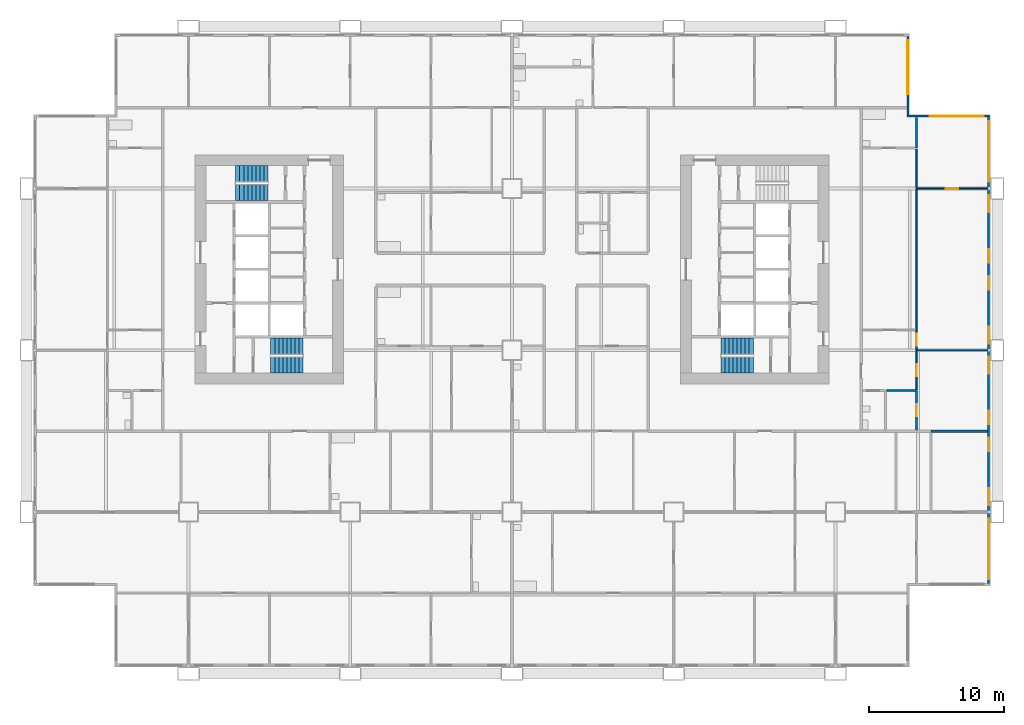
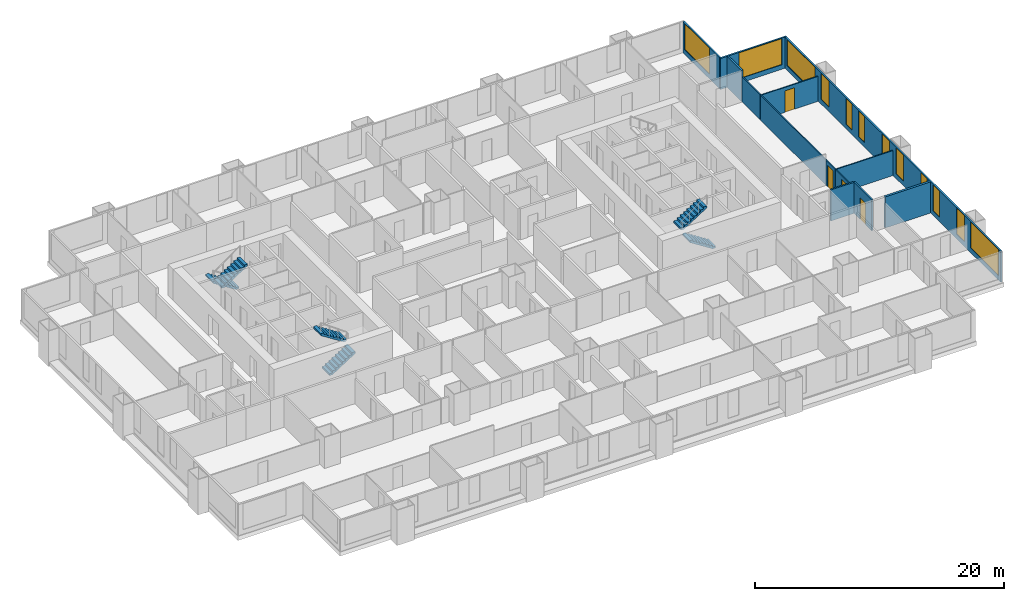
# One storey, part 11 of 14: 13 walls, 12 windows, 6 stair flights, 4 doors, 16 openings, 3 elements without a shape of their own.
"""IFC4 building model written with IfcOpenShell, lengths in metres."""

import ifcopenshell
import ifcopenshell.guid

model = None  # the IFC model being written
_history = None  # IfcOwnerHistory: only IFC2X3 demands one
_inside = {}  # id of a spatial element -> (the spatial element, [elements in it])
_under = {}  # id of a project, library or spatial element -> (it, [spatial elements below it])
_declared = {}  # id of a project -> (the project, [libraries it declares])
_typed = {}  # id of a type object -> (the type object, [elements of that type])
_made_of = {}  # id of a material, layer set ... -> (it, [elements and type objects made of it])


def new_model(schema):
    """Start an empty IFC model of exactly this schema.

    Asked for "IFC4X3", IfcOpenShell would pick the latest addendum, in which some entities
    have other attributes; the version numbers below select the first issue.
    IFC2X3 requires an IfcOwnerHistory on every rooted entity: one is made here for all.
    """
    global model, _history
    if schema == "IFC4X3":
        model = ifcopenshell.file(schema_version=(4, 3, 0, 0))
    else:
        model = ifcopenshell.file(schema=schema)
    _inside.clear()
    _under.clear()
    _declared.clear()
    _typed.clear()
    _made_of.clear()
    _history = None
    if model.schema == "IFC2X3":
        org = make("IfcOrganization", Name="unknown")
        user = make(
            "IfcPersonAndOrganization",
            ThePerson=make("IfcPerson", FamilyName="unknown"),
            TheOrganization=org,
        )
        app = make(
            "IfcApplication",
            ApplicationDeveloper=org,
            Version="unknown",
            ApplicationFullName="unknown",
            ApplicationIdentifier="unknown",
        )
        _history = make(
            "IfcOwnerHistory",
            OwningUser=user,
            OwningApplication=app,
            ChangeAction="ADDED",
            CreationDate=0,
        )
    return model


def make(cls, **values):
    """One entity of the class cls with the attributes given. An attribute that is None is left unset."""
    return model.create_entity(
        cls, **{name: value for name, value in values.items() if value is not None}
    )


def rooted(cls, **values):
    """An entity with a GlobalId (a new one), such as an element, a storey or a relation."""
    return make(cls, GlobalId=ifcopenshell.guid.new(), OwnerHistory=_history, **values)


def si_unit(unit_type, name, prefix=None):
    """IfcSIUnit, for example si_unit("LENGTHUNIT", "METRE", prefix="MILLI")."""
    return make("IfcSIUnit", UnitType=unit_type, Prefix=prefix, Name=name)


def assignment(units):
    """IfcUnitAssignment: the units of a project."""
    return None if units is None else make("IfcUnitAssignment", Units=units)


def point(xyz):
    """IfcCartesianPoint."""
    return None if xyz is None else make("IfcCartesianPoint", Coordinates=xyz)


def direction(xyz):
    """IfcDirection."""
    return None if xyz is None else make("IfcDirection", DirectionRatios=xyz)


def frame(location, z_axis=None, x_axis=None):
    """IfcAxis2Placement3D, a coordinate frame: its origin and axes. An axis left out is left unset."""
    return make(
        "IfcAxis2Placement3D",
        Location=point(location),
        Axis=direction(z_axis),
        RefDirection=direction(x_axis),
    )


def frame_2d(location, x_axis=None):
    """IfcAxis2Placement2D, a coordinate frame in the plane: its origin and x axis."""
    return make(
        "IfcAxis2Placement2D", Location=point(location), RefDirection=direction(x_axis)
    )


def origin():
    """The frame at (0, 0, 0) with its axes left unset."""
    return frame((0.0, 0.0, 0.0))


def place(relative_to, where):
    """IfcLocalPlacement: puts the frame where relative to a parent placement (None: the world)."""
    return make(
        "IfcLocalPlacement", PlacementRelTo=relative_to, RelativePlacement=where
    )


def context(
    kind, dimensions, precision=None, world=None, true_north=None, identifier=None
):
    """IfcGeometricRepresentationContext, for example the 3D "Model" context."""
    return make(
        "IfcGeometricRepresentationContext",
        ContextIdentifier=identifier,
        ContextType=kind,
        CoordinateSpaceDimension=dimensions,
        Precision=precision,
        WorldCoordinateSystem=world,
        TrueNorth=true_north,
    )


def subcontext(parent, identifier, kind, view, scale=None):
    """IfcGeometricRepresentationSubContext, for example "Body" below "Model"."""
    return make(
        "IfcGeometricRepresentationSubContext",
        ContextIdentifier=identifier,
        ContextType=kind,
        ParentContext=parent,
        TargetScale=scale,
        TargetView=view,
    )


def project(units=None, contexts=None):
    """IfcProject with its units and contexts."""
    return rooted(
        "IfcProject",
        Name="project",
        RepresentationContexts=contexts,
        UnitsInContext=assignment(units),
    )


def spatial(cls, under=None, at=None, **own):
    """A site, building, storey or space (cls), placed at a placement, below another one or the project."""
    s = rooted(cls, ObjectPlacement=at, **own)
    if under is not None:
        _under.setdefault(under.id(), (under, []))[1].append(s)
    return s


def polyline(points):
    """IfcPolyline through the points."""
    return make("IfcPolyline", Points=[point(p) for p in points])


def profile(cls, at=None, kind="AREA", **sizes):
    """A parametric profile (cls). Its sizes go by their IFC names, for example OverallWidth=200.0."""
    return make(cls, ProfileType=kind, Position=at, **sizes)


def rectangle(**sizes):
    """IfcRectangleProfileDef."""
    return profile("IfcRectangleProfileDef", **sizes)


def outline(outer, holes=None, kind="AREA"):
    """IfcArbitraryClosedProfileDef: a profile drawn as a closed curve; with holes, ...WithVoids."""
    if holes is None:
        return make("IfcArbitraryClosedProfileDef", ProfileType=kind, OuterCurve=outer)
    return make(
        "IfcArbitraryProfileDefWithVoids",
        ProfileType=kind,
        OuterCurve=outer,
        InnerCurves=holes,
    )


def extrude(swept, where, along, depth):
    """IfcExtrudedAreaSolid: the profile swept, set in the frame where, extruded along a direction by depth."""
    return make(
        "IfcExtrudedAreaSolid",
        SweptArea=swept,
        Position=where,
        ExtrudedDirection=direction(along),
        Depth=depth,
    )


def shape(context_of_items, identifier, shape_type, items):
    """IfcShapeRepresentation: the items that make up one representation, for example the "Body"."""
    return make(
        "IfcShapeRepresentation",
        ContextOfItems=context_of_items,
        RepresentationIdentifier=identifier,
        RepresentationType=shape_type,
        Items=items,
    )


def material(Name=None, Category=None):
    """IfcMaterial."""
    return make("IfcMaterial", Name=Name, Category=Category)


def layer(
    of_material, thickness, ventilated=None, Name=None, Category=None, Priority=None
):
    """IfcMaterialLayer: one layer of a wall or slab, of a material (None: an air gap)."""
    return make(
        "IfcMaterialLayer",
        Material=of_material,
        LayerThickness=thickness,
        IsVentilated=ventilated,
        Name=Name,
        Category=Category,
        Priority=Priority,
    )


def layer_set(layers, Name=None):
    """IfcMaterialLayerSet."""
    return make("IfcMaterialLayerSet", MaterialLayers=layers, LayerSetName=Name)


def made_of(thing, what):
    """Note that an element or type object is made of a material, layer set ...; save() writes the relation."""
    if what is not None:
        _made_of.setdefault(what.id(), (what, []))[1].append(thing)
    return thing


def type_object(cls, material=None, **own):
    """A type object (cls), such as IfcWallType, which elements share."""
    return made_of(rooted(cls, **own), material)


def element(
    cls,
    number,
    at=None,
    inside=None,
    cuts=None,
    type_object=None,
    material=None,
    context=None,
    identifier="Body",
    shape_type=None,
    held_by="IfcProductDefinitionShape",
    body=None,
    shapes=None,
    **own,
):
    """One element of the class cls, such as IfcWall. Its Tag is "e" and its number.

    at: its placement. inside: the storey or other place that contains it. cuts: it is an
    opening in that element (IfcRelVoidsElement). A single representation is given by context,
    identifier, shape_type and body (its items); several are given by shapes. held_by: the class
    of the entity that holds the representations. save() writes the other relations.
    """
    e = rooted(cls, Tag="e%d" % number, ObjectPlacement=at, **own)
    if body is not None:
        shapes = [shape(context, identifier, shape_type, body)]
    if shapes is not None:
        e.Representation = make(held_by, Representations=shapes)
    if inside is not None:
        _inside.setdefault(inside.id(), (inside, []))[1].append(e)
    if cuts is not None:
        rooted(
            "IfcRelVoidsElement", RelatingBuildingElement=cuts, RelatedOpeningElement=e
        )
    if type_object is not None:
        _typed.setdefault(type_object.id(), (type_object, []))[1].append(e)
    return made_of(e, material)


def fill(opening, filler):
    """IfcRelFillsElement: the door or window that sits in an opening."""
    return rooted(
        "IfcRelFillsElement",
        RelatingOpeningElement=opening,
        RelatedBuildingElement=filler,
    )


def aggregate(whole, parts):
    """IfcRelAggregates: a whole, such as a stair, and the parts it consists of."""
    return rooted("IfcRelAggregates", RelatingObject=whole, RelatedObjects=parts)


def save(model, path):
    """Write the relations noted so far, then the file.

    IfcRelAggregates (storeys below a building ...), IfcRelContainedInSpatialStructure (elements
    in a storey), IfcRelDefinesByType, IfcRelAssociatesMaterial and IfcRelDeclares: one each for
    every whole, place, type object, material and project.
    """
    for whole, parts in _under.values():
        aggregate(whole, parts)
    for where, things in _inside.values():
        rooted(
            "IfcRelContainedInSpatialStructure",
            RelatedElements=things,
            RelatingStructure=where,
        )
    for kind, things in _typed.values():
        rooted("IfcRelDefinesByType", RelatedObjects=things, RelatingType=kind)
    for what, things in _made_of.values():
        rooted("IfcRelAssociatesMaterial", RelatedObjects=things, RelatingMaterial=what)
    for by, libraries in _declared.values():
        rooted("IfcRelDeclares", RelatingContext=by, RelatedDefinitions=libraries)
    model.write(path)


model = new_model("IFC4")

# Units and contexts
model_context = context("Model", 3, precision=1e-05, world=origin(), true_north=direction((0.0, 1.0)))
body_context = subcontext(model_context, "Body", "Model", "MODEL_VIEW")
ifc_project = project(units=[si_unit("LENGTHUNIT", "METRE"), si_unit("AREAUNIT", "SQUARE_METRE"), si_unit("VOLUMEUNIT", "CUBIC_METRE"), si_unit("PLANEANGLEUNIT", "RADIAN"), si_unit("MASSUNIT", "GRAM", prefix="KILO")], contexts=[model_context])

# Site, building, storey
site_placement = place(None, origin())
site = spatial("IfcSite", under=ifc_project, at=site_placement, CompositionType="ELEMENT")
building_placement = place(site_placement, origin())
building = spatial("IfcBuilding", under=site, at=building_placement, Name="Kitamizu Gate Tower and Museum", CompositionType="ELEMENT")
storey_placement = place(building_placement, frame((0.0, 0.0, 74.85009765625)))
storey = spatial("IfcBuildingStorey", under=building, at=storey_placement, Name="L18", CompositionType="ELEMENT", Elevation=74.85009765625)

# Wall
ifc_material_1 = material(Name="Gypsum board on galvanised stud")
ifc_layer_1 = layer(ifc_material_1, 0.10009765625)
ifc_layer_set_1 = layer_set([ifc_layer_1], Name="Gypsum board on galvanised stud")
wall_type_1 = type_object("IfcWallType", Name="Partition 100 NOT RATED", PredefinedType="PARTITIONING", material=ifc_layer_set_1)
wall_1_placement = place(storey_placement, frame((71.280029296875, 24.0, 0.0), z_axis=(0.0, 0.0, 1.0), x_axis=(-1.0, 0.0, 0.0)))
element("IfcWall", 1, at=wall_1_placement, inside=storey, type_object=wall_type_1, Name="Partition L18-120", PredefinedType="PARTITIONING", context=body_context, shape_type="SweptSolid", body=[
    extrude(rectangle(XDim=5.280029296875, YDim=0.10009765625, at=frame_2d((2.64013671875, 0.0))), origin(), (0.0, 0.0, 1.0), 2.449951171875),
])

# Wall, opening, door
wall_2_placement = place(storey_placement, frame((66.0, 23.949951171875, 0.0), z_axis=(0.0, 0.0, 1.0), x_axis=(0.0, -1.0, 0.0)))
wall_2 = element("IfcWall", 2, at=wall_2_placement, inside=storey, type_object=wall_type_1, Name="Partition L18-122", PredefinedType="PARTITIONING", context=body_context, shape_type="SweptSolid", body=[
    extrude(rectangle(XDim=2.875, YDim=0.10009765625, at=frame_2d((1.4375, 0.0))), origin(), (0.0, 0.0, 1.0), 2.449951171875),
])
opening_1_placement = place(wall_2_placement, frame((0.987548828125, 0.0, 0.0)))
opening_1 = element("IfcOpeningElement", 3, at=opening_1_placement, cuts=wall_2, Name="Opening L18-044", PredefinedType="OPENING", context=body_context, shape_type="SweptSolid", body=[
    extrude(rectangle(XDim=0.89990234375, YDim=2.10009765625, at=frame_2d((0.449951171875, 1.050048828125))), frame((0.0, 0.06005859375, 0.0), z_axis=(0.0, -1.0, 0.0), x_axis=(1.0, 0.0, 0.0)), (0.0, 0.0, 1.0), 0.1201171875),
])
ifc_material_2 = material(Name="Timber door set", Category="wood")
door_type_1 = type_object("IfcDoorType", Name="Room door 900", OperationType="NOTDEFINED", PredefinedType="DOOR", material=ifc_material_2)
door_1_placement = place(opening_1_placement, origin())
door_1 = element("IfcDoor", 4, at=door_1_placement, inside=storey, type_object=door_type_1, Name="Door L18-044", OperationType="SINGLE_SWING_RIGHT", OverallHeight=2.10009765625, OverallWidth=0.89990234375, PredefinedType="DOOR", context=body_context, shape_type="SweptSolid", body=[
    extrude(rectangle(XDim=0.89990234375, YDim=2.10009765625, at=frame_2d((0.449951171875, 1.050048828125))), frame((0.0, 0.02490234375, 0.0), z_axis=(0.0, -1.0, 0.0), x_axis=(1.0, 0.0, 0.0)), (0.0, 0.0, 1.0), 0.050048828125),
])
fill(opening_1, door_1)

wall_3_placement = place(storey_placement, frame((71.280029296875, 36.0, 0.0), z_axis=(0.0, 0.0, 1.0), x_axis=(-1.0, 0.0, 0.0)))
wall_3 = element("IfcWall", 5, at=wall_3_placement, inside=storey, type_object=wall_type_1, Name="Partition L18-123", PredefinedType="PARTITIONING", context=body_context, shape_type="SweptSolid", body=[
    extrude(rectangle(XDim=5.280029296875, YDim=0.10009765625, at=frame_2d((2.64013671875, 0.0))), origin(), (0.0, 0.0, 1.0), 2.449951171875),
])
opening_2_placement = place(wall_3_placement, frame((2.18994140625, 0.0, 0.0)))
opening_2 = element("IfcOpeningElement", 6, at=opening_2_placement, cuts=wall_3, Name="Opening L18-047", PredefinedType="OPENING", context=body_context, shape_type="SweptSolid", body=[
    extrude(rectangle(XDim=0.89990234375, YDim=2.10009765625, at=frame_2d((0.449951171875, 1.050048828125))), frame((0.0, 0.06005859375, 0.0), z_axis=(0.0, -1.0, 0.0), x_axis=(1.0, 0.0, 0.0)), (0.0, 0.0, 1.0), 0.1201171875),
])
door_2_placement = place(opening_2_placement, frame((0.89990234375, 0.0, 0.0), x_axis=(-1.0, 0.0, 0.0)))
door_2 = element("IfcDoor", 7, at=door_2_placement, inside=storey, type_object=door_type_1, Name="Door L18-047", OperationType="SINGLE_SWING_RIGHT", OverallHeight=2.10009765625, OverallWidth=0.89990234375, PredefinedType="DOOR", context=body_context, shape_type="SweptSolid", body=[
    extrude(rectangle(XDim=0.89990234375, YDim=2.10009765625, at=frame_2d((0.449951171875, 1.050048828125))), frame((0.0, 0.02490234375, 0.0), z_axis=(0.0, -1.0, 0.0), x_axis=(1.0, 0.0, 0.0)), (0.0, 0.0, 1.0), 0.050048828125),
])
fill(opening_2, door_2)

wall_4_placement = place(storey_placement, frame((66.0, 25.5, 0.0), z_axis=(0.0, 0.0, 1.0), x_axis=(0.0, -1.0, 0.0)))
wall_4 = element("IfcWall", 8, at=wall_4_placement, inside=storey, type_object=wall_type_1, Name="Partition L18-124", PredefinedType="PARTITIONING", context=body_context, shape_type="SweptSolid", body=[
    extrude(rectangle(XDim=1.449951171875, YDim=0.10009765625, at=frame_2d((0.72509765625, 0.0))), origin(), (0.0, 0.0, 1.0), 2.449951171875),
])
opening_3_placement = place(wall_4_placement, frame((0.27490234375, 0.0, 0.0)))
opening_3 = element("IfcOpeningElement", 9, at=opening_3_placement, cuts=wall_4, Name="Opening L18-045", PredefinedType="OPENING", context=body_context, shape_type="SweptSolid", body=[
    extrude(rectangle(XDim=0.89990234375, YDim=2.10009765625, at=frame_2d((0.449951171875, 1.050048828125))), frame((0.0, 0.06005859375, 0.0), z_axis=(0.0, -1.0, 0.0), x_axis=(1.0, 0.0, 0.0)), (0.0, 0.0, 1.0), 0.1201171875),
])
door_3_placement = place(opening_3_placement, origin())
door_3 = element("IfcDoor", 10, at=door_3_placement, inside=storey, type_object=door_type_1, Name="Door L18-045", OperationType="SINGLE_SWING_LEFT", OverallHeight=2.10009765625, OverallWidth=0.89990234375, PredefinedType="DOOR", context=body_context, shape_type="SweptSolid", body=[
    extrude(rectangle(XDim=0.89990234375, YDim=2.10009765625, at=frame_2d((0.449951171875, 1.050048828125))), frame((0.0, 0.02490234375, 0.0), z_axis=(0.0, -1.0, 0.0), x_axis=(1.0, 0.0, 0.0)), (0.0, 0.0, 1.0), 0.050048828125),
])
fill(opening_3, door_3)

# Walls
wall_5_placement = place(storey_placement, frame((66.0, 35.949951171875, 0.0), z_axis=(0.0, 0.0, 1.0), x_axis=(0.0, -1.0, 0.0)))
element("IfcWall", 11, at=wall_5_placement, inside=storey, type_object=wall_type_1, Name="Partition L18-125", PredefinedType="PARTITIONING", context=body_context, shape_type="SweptSolid", body=[
    extrude(rectangle(XDim=10.449951171875, YDim=0.10009765625, at=frame_2d((5.22509765625, 0.0))), origin(), (0.0, 0.0, 1.0), 2.449951171875),
])
wall_6_placement = place(storey_placement, frame((66.0, 38.925048828125, 0.0), z_axis=(0.0, 0.0, 1.0), x_axis=(0.0, -1.0, 0.0)))
element("IfcWall", 12, at=wall_6_placement, inside=storey, type_object=wall_type_1, Name="Partition L18-126", PredefinedType="PARTITIONING", context=body_context, shape_type="SweptSolid", body=[
    extrude(rectangle(XDim=2.875, YDim=0.10009765625, at=frame_2d((1.4375, 0.0))), origin(), (0.0, 0.0, 1.0), 2.449951171875),
])

# Wall, opening, door
ifc_material_3 = material(Name="Gypsum board on galvanised stud")
ifc_layer_2 = layer(ifc_material_3, 0.14990234375)
ifc_layer_set_2 = layer_set([ifc_layer_2], Name="Gypsum board on galvanised stud")
wall_type_2 = type_object("IfcWallType", Name="Partition 150", PredefinedType="PARTITIONING", material=ifc_layer_set_2)
wall_7_placement = place(storey_placement, frame((66.0, 21.0, 0.0), z_axis=(0.0, 0.0, 1.0), x_axis=(0.0, -1.0, 0.0)))
wall_7 = element("IfcWall", 13, at=wall_7_placement, inside=storey, type_object=wall_type_2, Name="Partition L18-121", PredefinedType="PARTITIONING", context=body_context, shape_type="SweptSolid", body=[
    extrude(rectangle(XDim=2.89990234375, YDim=0.14990234375, at=frame_2d((1.449951171875, 0.0))), origin(), (0.0, 0.0, 1.0), 3.0498046875),
])
opening_4_placement = place(wall_7_placement, frame((1.0, 0.0, 0.0)))
opening_4 = element("IfcOpeningElement", 14, at=opening_4_placement, cuts=wall_7, Name="Opening L18-049", PredefinedType="OPENING", context=body_context, shape_type="SweptSolid", body=[
    extrude(rectangle(XDim=0.89990234375, YDim=2.10009765625, at=frame_2d((0.449951171875, 1.050048828125))), frame((0.0, 0.0849609375, 0.0), z_axis=(0.0, -1.0, 0.0), x_axis=(1.0, 0.0, 0.0)), (0.0, 0.0, 1.0), 0.169921875),
])
ifc_material_4 = material(Name="Timber door set", Category="wood")
door_type_2 = type_object("IfcDoorType", Name="Bathroom door 900", OperationType="NOTDEFINED", PredefinedType="DOOR", material=ifc_material_4)
door_4_placement = place(opening_4_placement, frame((0.89990234375, 0.0, 0.0), x_axis=(-1.0, 0.0, 0.0)))
door_4 = element("IfcDoor", 15, at=door_4_placement, inside=storey, type_object=door_type_2, Name="Bathroom door L18-049", OperationType="SINGLE_SWING_RIGHT", OverallHeight=2.10009765625, OverallWidth=0.89990234375, PredefinedType="DOOR", context=body_context, shape_type="SweptSolid", body=[
    extrude(rectangle(XDim=0.89990234375, YDim=2.10009765625, at=frame_2d((0.449951171875, 1.050048828125))), frame((0.0, 0.02490234375, 0.0), z_axis=(0.0, -1.0, 0.0), x_axis=(1.0, 0.0, 0.0)), (0.0, 0.0, 1.0), 0.050048828125),
])
fill(opening_4, door_4)

# Walls
wall_8_placement = place(storey_placement, frame((66.0, 41.280029296875, 0.0), z_axis=(0.0, 0.0, 1.0), x_axis=(0.0, -1.0, 0.0)))
element("IfcWall", 16, at=wall_8_placement, inside=storey, type_object=wall_type_2, Name="Partition L18-127", PredefinedType="PARTITIONING", context=body_context, shape_type="SweptSolid", body=[
    extrude(rectangle(XDim=2.280029296875, YDim=0.14990234375, at=frame_2d((1.14013671875, 0.0))), origin(), (0.0, 0.0, 1.0), 3.0498046875),
])
wall_9_placement = place(storey_placement, frame((65.925048828125, 21.0, 0.0), z_axis=(0.0, 0.0, 1.0), x_axis=(-1.0, 0.0, 0.0)))
element("IfcWall", 17, at=wall_9_placement, inside=storey, type_object=wall_type_2, Name="Partition L18-131", PredefinedType="PARTITIONING", context=body_context, shape_type="SweptSolid", body=[
    extrude(rectangle(XDim=2.150146484375, YDim=0.14990234375, at=frame_2d((1.0751953125, 0.0))), origin(), (0.0, 0.0, 1.0), 3.0498046875),
])
ifc_material_5 = material(Name="Gypsum board on galvanised stud")
ifc_layer_3 = layer(ifc_material_5, 0.199951171875)
ifc_layer_set_3 = layer_set([ifc_layer_3], Name="Gypsum board on galvanised stud")
wall_type_3 = type_object("IfcWallType", Name="Partition 200", PredefinedType="PARTITIONING", material=ifc_layer_set_3)
wall_10_placement = place(storey_placement, frame((71.280029296875, 18.0, 0.0), z_axis=(0.0, 0.0, 1.0), x_axis=(-1.0, 0.0, 0.0)))
element("IfcWall", 18, at=wall_10_placement, inside=storey, type_object=wall_type_3, Name="Partition L18-110", PredefinedType="PARTITIONING", context=body_context, shape_type="SweptSolid", body=[
    extrude(rectangle(XDim=4.2041015625, YDim=0.199951171875, at=frame_2d((2.10205078125, 0.0))), origin(), (0.0, 0.0, 1.0), 3.0498046875),
])

# Wall, openings, windows
ifc_material_6 = material(Name="Bronze anodised aluminium frame with insulated spandrel and tinted glass", Category="aluminium")
ifc_layer_4 = layer(ifc_material_6, 0.14990234375)
ifc_layer_set_4 = layer_set([ifc_layer_4], Name="Bronze anodised aluminium frame with insulated spandrel and tinted glass")
wall_type_4 = type_object("IfcWallType", Name="WINDOW WALL 150 BRONZE FRAME EI 30", PredefinedType="ELEMENTEDWALL", material=ifc_layer_set_4)
wall_11_placement = place(storey_placement, frame((71.364990234375, 6.7099609375, 0.0), z_axis=(0.0, 0.0, 1.0), x_axis=(0.0, 1.0, 0.0)))
wall_11 = element("IfcWall", 19, at=wall_11_placement, inside=storey, type_object=wall_type_4, Name="Window wall east L18", PredefinedType="ELEMENTEDWALL", context=body_context, shape_type="SweptSolid", body=[
    extrude(rectangle(XDim=34.580078125, YDim=0.14990234375, at=frame_2d((17.2900390625, 0.0))), origin(), (0.0, 0.0, 1.0), 3.0498046875),
])
opening_5_placement = place(wall_11_placement, frame((0.2900390625, 0.0, 0.449951171875)))
opening_5 = element("IfcOpeningElement", 20, at=opening_5_placement, cuts=wall_11, Name="Opening W15", PredefinedType="OPENING", context=body_context, shape_type="SweptSolid", body=[
    extrude(rectangle(XDim=4.5, YDim=2.550048828125, at=frame_2d((2.25, 1.27490234375))), frame((0.0, 0.0849609375, 0.0), z_axis=(0.0, -1.0, 0.0), x_axis=(1.0, 0.0, 0.0)), (0.0, 0.0, 1.0), 0.169921875),
])
opening_6_placement = place(wall_11_placement, frame((5.7900390625, 0.0, 0.449951171875)))
opening_6 = element("IfcOpeningElement", 21, at=opening_6_placement, cuts=wall_11, Name="Opening W27", PredefinedType="OPENING", context=body_context, shape_type="SweptSolid", body=[
    extrude(rectangle(XDim=1.25, YDim=2.550048828125, at=frame_2d((0.625, 1.27490234375))), frame((0.0, 0.0849609375, 0.0), z_axis=(0.0, -1.0, 0.0), x_axis=(1.0, 0.0, 0.0)), (0.0, 0.0, 1.0), 0.169921875),
])
opening_7_placement = place(wall_11_placement, frame((9.7900390625, 0.0, 0.449951171875)))
opening_7 = element("IfcOpeningElement", 22, at=opening_7_placement, cuts=wall_11, Name="Opening W26", PredefinedType="OPENING", context=body_context, shape_type="SweptSolid", body=[
    extrude(rectangle(XDim=1.0, YDim=2.550048828125, at=frame_2d((0.5, 1.27490234375))), frame((0.0, 0.0849609375, 0.0), z_axis=(0.0, -1.0, 0.0), x_axis=(1.0, 0.0, 0.0)), (0.0, 0.0, 1.0), 0.169921875),
])
opening_8_placement = place(wall_11_placement, frame((11.7900390625, 0.0, 0.449951171875)))
opening_8 = element("IfcOpeningElement", 23, at=opening_8_placement, cuts=wall_11, Name="Opening W26", PredefinedType="OPENING", context=body_context, shape_type="SweptSolid", body=[
    extrude(rectangle(XDim=1.0, YDim=2.550048828125, at=frame_2d((0.5, 1.27490234375))), frame((0.0, 0.0849609375, 0.0), z_axis=(0.0, -1.0, 0.0), x_axis=(1.0, 0.0, 0.0)), (0.0, 0.0, 1.0), 0.169921875),
])
opening_9_placement = place(wall_11_placement, frame((15.5400390625, 0.0, 0.449951171875)))
opening_9 = element("IfcOpeningElement", 24, at=opening_9_placement, cuts=wall_11, Name="Opening W27", PredefinedType="OPENING", context=body_context, shape_type="SweptSolid", body=[
    extrude(rectangle(XDim=1.25, YDim=2.550048828125, at=frame_2d((0.625, 1.27490234375))), frame((0.0, 0.0849609375, 0.0), z_axis=(0.0, -1.0, 0.0), x_axis=(1.0, 0.0, 0.0)), (0.0, 0.0, 1.0), 0.169921875),
])
opening_10_placement = place(wall_11_placement, frame((17.7900390625, 0.0, 0.449951171875)))
opening_10 = element("IfcOpeningElement", 25, at=opening_10_placement, cuts=wall_11, Name="Opening W27", PredefinedType="OPENING", context=body_context, shape_type="SweptSolid", body=[
    extrude(rectangle(XDim=1.25, YDim=2.550048828125, at=frame_2d((0.625, 1.27490234375))), frame((0.0, 0.0849609375, 0.0), z_axis=(0.0, -1.0, 0.0), x_axis=(1.0, 0.0, 0.0)), (0.0, 0.0, 1.0), 0.169921875),
])
opening_11_placement = place(wall_11_placement, frame((21.7900390625, 0.0, 0.449951171875)))
opening_11 = element("IfcOpeningElement", 26, at=opening_11_placement, cuts=wall_11, Name="Opening W26", PredefinedType="OPENING", context=body_context, shape_type="SweptSolid", body=[
    extrude(rectangle(XDim=1.0, YDim=2.550048828125, at=frame_2d((0.5, 1.27490234375))), frame((0.0, 0.0849609375, 0.0), z_axis=(0.0, -1.0, 0.0), x_axis=(1.0, 0.0, 0.0)), (0.0, 0.0, 1.0), 0.169921875),
])
opening_12_placement = place(wall_11_placement, frame((23.7900390625, 0.0, 0.449951171875)))
opening_12 = element("IfcOpeningElement", 27, at=opening_12_placement, cuts=wall_11, Name="Opening W26", PredefinedType="OPENING", context=body_context, shape_type="SweptSolid", body=[
    extrude(rectangle(XDim=1.0, YDim=2.550048828125, at=frame_2d((0.5, 1.27490234375))), frame((0.0, 0.0849609375, 0.0), z_axis=(0.0, -1.0, 0.0), x_axis=(1.0, 0.0, 0.0)), (0.0, 0.0, 1.0), 0.169921875),
])
opening_13_placement = place(wall_11_placement, frame((27.5400390625, 0.0, 0.449951171875)))
opening_13 = element("IfcOpeningElement", 28, at=opening_13_placement, cuts=wall_11, Name="Opening W27", PredefinedType="OPENING", context=body_context, shape_type="SweptSolid", body=[
    extrude(rectangle(XDim=1.25, YDim=2.550048828125, at=frame_2d((0.625, 1.27490234375))), frame((0.0, 0.0849609375, 0.0), z_axis=(0.0, -1.0, 0.0), x_axis=(1.0, 0.0, 0.0)), (0.0, 0.0, 1.0), 0.169921875),
])
opening_14_placement = place(wall_11_placement, frame((29.7900390625, 0.0, 0.449951171875)))
opening_14 = element("IfcOpeningElement", 29, at=opening_14_placement, cuts=wall_11, Name="Opening W15", PredefinedType="OPENING", context=body_context, shape_type="SweptSolid", body=[
    extrude(rectangle(XDim=4.5, YDim=2.550048828125, at=frame_2d((2.25, 1.27490234375))), frame((0.0, 0.0849609375, 0.0), z_axis=(0.0, -1.0, 0.0), x_axis=(1.0, 0.0, 0.0)), (0.0, 0.0, 1.0), 0.169921875),
])
ifc_material_7 = material(Name="Bronze anodised aluminium frame, tinted triple glazing", Category="aluminium")
window_type_1 = type_object("IfcWindowType", Name="WINDOW 1000 x 2550 SILL 450", PartitioningType="SINGLE_PANEL", PredefinedType="WINDOW", material=ifc_material_7)
window_1_placement = place(opening_7_placement, origin())
window_1 = element("IfcWindow", 30, at=window_1_placement, inside=storey, type_object=window_type_1, Name="Window W26 L18", OverallHeight=2.550048828125, OverallWidth=1.0, PartitioningType="SINGLE_PANEL", PredefinedType="WINDOW", context=body_context, shape_type="SweptSolid", body=[
    extrude(rectangle(XDim=1.0, YDim=2.550048828125, at=frame_2d((0.5, 1.27490234375))), frame((0.0, 0.030029296875, 0.0), z_axis=(0.0, -1.0, 0.0), x_axis=(1.0, 0.0, 0.0)), (0.0, 0.0, 1.0), 0.06005859375),
])
fill(opening_7, window_1)
window_2_placement = place(opening_8_placement, origin())
window_2 = element("IfcWindow", 31, at=window_2_placement, inside=storey, type_object=window_type_1, Name="Window W26 L18", OverallHeight=2.550048828125, OverallWidth=1.0, PartitioningType="SINGLE_PANEL", PredefinedType="WINDOW", context=body_context, shape_type="SweptSolid", body=[
    extrude(rectangle(XDim=1.0, YDim=2.550048828125, at=frame_2d((0.5, 1.27490234375))), frame((0.0, 0.030029296875, 0.0), z_axis=(0.0, -1.0, 0.0), x_axis=(1.0, 0.0, 0.0)), (0.0, 0.0, 1.0), 0.06005859375),
])
fill(opening_8, window_2)
window_3_placement = place(opening_11_placement, origin())
window_3 = element("IfcWindow", 32, at=window_3_placement, inside=storey, type_object=window_type_1, Name="Window W26 L18", OverallHeight=2.550048828125, OverallWidth=1.0, PartitioningType="SINGLE_PANEL", PredefinedType="WINDOW", context=body_context, shape_type="SweptSolid", body=[
    extrude(rectangle(XDim=1.0, YDim=2.550048828125, at=frame_2d((0.5, 1.27490234375))), frame((0.0, 0.030029296875, 0.0), z_axis=(0.0, -1.0, 0.0), x_axis=(1.0, 0.0, 0.0)), (0.0, 0.0, 1.0), 0.06005859375),
])
fill(opening_11, window_3)
window_4_placement = place(opening_12_placement, origin())
window_4 = element("IfcWindow", 33, at=window_4_placement, inside=storey, type_object=window_type_1, Name="Window W26 L18", OverallHeight=2.550048828125, OverallWidth=1.0, PartitioningType="SINGLE_PANEL", PredefinedType="WINDOW", context=body_context, shape_type="SweptSolid", body=[
    extrude(rectangle(XDim=1.0, YDim=2.550048828125, at=frame_2d((0.5, 1.27490234375))), frame((0.0, 0.030029296875, 0.0), z_axis=(0.0, -1.0, 0.0), x_axis=(1.0, 0.0, 0.0)), (0.0, 0.0, 1.0), 0.06005859375),
])
fill(opening_12, window_4)
ifc_material_8 = material(Name="Bronze anodised aluminium frame, tinted triple glazing", Category="aluminium")
window_type_2 = type_object("IfcWindowType", Name="WINDOW 1250 x 2550 SILL 450", PartitioningType="SINGLE_PANEL", PredefinedType="WINDOW", material=ifc_material_8)
window_5_placement = place(opening_6_placement, origin())
window_5 = element("IfcWindow", 34, at=window_5_placement, inside=storey, type_object=window_type_2, Name="Window W27 L18", OverallHeight=2.550048828125, OverallWidth=1.25, PartitioningType="SINGLE_PANEL", PredefinedType="WINDOW", context=body_context, shape_type="SweptSolid", body=[
    extrude(rectangle(XDim=1.25, YDim=2.550048828125, at=frame_2d((0.625, 1.27490234375))), frame((0.0, 0.030029296875, 0.0), z_axis=(0.0, -1.0, 0.0), x_axis=(1.0, 0.0, 0.0)), (0.0, 0.0, 1.0), 0.06005859375),
])
fill(opening_6, window_5)
window_6_placement = place(opening_9_placement, origin())
window_6 = element("IfcWindow", 35, at=window_6_placement, inside=storey, type_object=window_type_2, Name="Window W27 L18", OverallHeight=2.550048828125, OverallWidth=1.25, PartitioningType="SINGLE_PANEL", PredefinedType="WINDOW", context=body_context, shape_type="SweptSolid", body=[
    extrude(rectangle(XDim=1.25, YDim=2.550048828125, at=frame_2d((0.625, 1.27490234375))), frame((0.0, 0.030029296875, 0.0), z_axis=(0.0, -1.0, 0.0), x_axis=(1.0, 0.0, 0.0)), (0.0, 0.0, 1.0), 0.06005859375),
])
fill(opening_9, window_6)
window_7_placement = place(opening_10_placement, origin())
window_7 = element("IfcWindow", 36, at=window_7_placement, inside=storey, type_object=window_type_2, Name="Window W27 L18", OverallHeight=2.550048828125, OverallWidth=1.25, PartitioningType="SINGLE_PANEL", PredefinedType="WINDOW", context=body_context, shape_type="SweptSolid", body=[
    extrude(rectangle(XDim=1.25, YDim=2.550048828125, at=frame_2d((0.625, 1.27490234375))), frame((0.0, 0.030029296875, 0.0), z_axis=(0.0, -1.0, 0.0), x_axis=(1.0, 0.0, 0.0)), (0.0, 0.0, 1.0), 0.06005859375),
])
fill(opening_10, window_7)
window_8_placement = place(opening_13_placement, origin())
window_8 = element("IfcWindow", 37, at=window_8_placement, inside=storey, type_object=window_type_2, Name="Window W27 L18", OverallHeight=2.550048828125, OverallWidth=1.25, PartitioningType="SINGLE_PANEL", PredefinedType="WINDOW", context=body_context, shape_type="SweptSolid", body=[
    extrude(rectangle(XDim=1.25, YDim=2.550048828125, at=frame_2d((0.625, 1.27490234375))), frame((0.0, 0.030029296875, 0.0), z_axis=(0.0, -1.0, 0.0), x_axis=(1.0, 0.0, 0.0)), (0.0, 0.0, 1.0), 0.06005859375),
])
fill(opening_13, window_8)
ifc_material_9 = material(Name="Bronze anodised aluminium frame, tinted triple glazing", Category="aluminium")
window_type_3 = type_object("IfcWindowType", Name="WINDOW 4500 x 2550 SILL 450", PartitioningType="SINGLE_PANEL", PredefinedType="WINDOW", material=ifc_material_9)
window_9_placement = place(opening_5_placement, origin())
window_9 = element("IfcWindow", 38, at=window_9_placement, inside=storey, type_object=window_type_3, Name="Window W15 L18", OverallHeight=2.550048828125, OverallWidth=4.5, PartitioningType="SINGLE_PANEL", PredefinedType="WINDOW", context=body_context, shape_type="SweptSolid", body=[
    extrude(rectangle(XDim=4.5, YDim=2.550048828125, at=frame_2d((2.25, 1.27490234375))), frame((0.0, 0.030029296875, 0.0), z_axis=(0.0, -1.0, 0.0), x_axis=(1.0, 0.0, 0.0)), (0.0, 0.0, 1.0), 0.06005859375),
])
fill(opening_5, window_9)
window_10_placement = place(opening_14_placement, origin())
window_10 = element("IfcWindow", 39, at=window_10_placement, inside=storey, type_object=window_type_3, Name="Window W15 L18", OverallHeight=2.550048828125, OverallWidth=4.5, PartitioningType="SINGLE_PANEL", PredefinedType="WINDOW", context=body_context, shape_type="SweptSolid", body=[
    extrude(rectangle(XDim=4.5, YDim=2.550048828125, at=frame_2d((2.25, 1.27490234375))), frame((0.0, 0.030029296875, 0.0), z_axis=(0.0, -1.0, 0.0), x_axis=(1.0, 0.0, 0.0)), (0.0, 0.0, 1.0), 0.06005859375),
])
fill(opening_14, window_10)

# Wall, opening, window
wall_12_placement = place(storey_placement, frame((65.2900390625, 41.364990234375, 0.0), z_axis=(0.0, 0.0, 1.0), x_axis=(1.0, 0.0, 0.0)))
wall_12 = element("IfcWall", 40, at=wall_12_placement, inside=storey, type_object=wall_type_4, Name="Window wall north L18", PredefinedType="ELEMENTEDWALL", context=body_context, shape_type="SweptSolid", body=[
    extrude(rectangle(XDim=6.14990234375, YDim=0.14990234375, at=frame_2d((3.074951171875, 0.0))), origin(), (0.0, 0.0, 1.0), 3.0498046875),
])
opening_15_placement = place(wall_12_placement, frame((1.7099609375, 0.0, 0.449951171875)))
opening_15 = element("IfcOpeningElement", 41, at=opening_15_placement, cuts=wall_12, Name="Opening W16", PredefinedType="OPENING", context=body_context, shape_type="SweptSolid", body=[
    extrude(rectangle(XDim=4.0, YDim=2.550048828125, at=frame_2d((2.0, 1.27490234375))), frame((0.0, 0.0849609375, 0.0), z_axis=(0.0, -1.0, 0.0), x_axis=(1.0, 0.0, 0.0)), (0.0, 0.0, 1.0), 0.169921875),
])
ifc_material_10 = material(Name="Bronze anodised aluminium frame, tinted triple glazing", Category="aluminium")
window_type_4 = type_object("IfcWindowType", Name="WINDOW 4000 x 2550 SILL 450", PartitioningType="SINGLE_PANEL", PredefinedType="WINDOW", material=ifc_material_10)
window_11_placement = place(opening_15_placement, origin())
window_11 = element("IfcWindow", 42, at=window_11_placement, inside=storey, type_object=window_type_4, Name="Window W16 L18", OverallHeight=2.550048828125, OverallWidth=4.0, PartitioningType="SINGLE_PANEL", PredefinedType="WINDOW", context=body_context, shape_type="SweptSolid", body=[
    extrude(rectangle(XDim=4.0, YDim=2.550048828125, at=frame_2d((2.0, 1.27490234375))), frame((0.0, 0.030029296875, 0.0), z_axis=(0.0, -1.0, 0.0), x_axis=(1.0, 0.0, 0.0)), (0.0, 0.0, 1.0), 0.06005859375),
])
fill(opening_15, window_11)

wall_13_placement = place(storey_placement, frame((65.364990234375, 41.43994140625, 0.0), z_axis=(0.0, 0.0, 1.0), x_axis=(0.0, 1.0, 0.0)))
wall_13 = element("IfcWall", 43, at=wall_13_placement, inside=storey, type_object=wall_type_4, Name="Window wall east L18", PredefinedType="ELEMENTEDWALL", context=body_context, shape_type="SweptSolid", body=[
    extrude(rectangle(XDim=5.85009765625, YDim=0.14990234375, at=frame_2d((2.925048828125, 0.0))), origin(), (0.0, 0.0, 1.0), 3.0498046875),
])
opening_16_placement = place(wall_13_placement, frame((1.56005859375, 0.0, 0.449951171875)))
opening_16 = element("IfcOpeningElement", 44, at=opening_16_placement, cuts=wall_13, Name="Opening W16", PredefinedType="OPENING", context=body_context, shape_type="SweptSolid", body=[
    extrude(rectangle(XDim=4.0, YDim=2.550048828125, at=frame_2d((2.0, 1.27490234375))), frame((0.0, 0.0849609375, 0.0), z_axis=(0.0, -1.0, 0.0), x_axis=(1.0, 0.0, 0.0)), (0.0, 0.0, 1.0), 0.169921875),
])
window_12_placement = place(opening_16_placement, origin())
window_12 = element("IfcWindow", 45, at=window_12_placement, inside=storey, type_object=window_type_4, Name="Window W16 L18", OverallHeight=2.550048828125, OverallWidth=4.0, PartitioningType="SINGLE_PANEL", PredefinedType="WINDOW", context=body_context, shape_type="SweptSolid", body=[
    extrude(rectangle(XDim=4.0, YDim=2.550048828125, at=frame_2d((2.0, 1.27490234375))), frame((0.0, 0.030029296875, 0.0), z_axis=(0.0, -1.0, 0.0), x_axis=(1.0, 0.0, 0.0)), (0.0, 0.0, 1.0), 0.06005859375),
])
fill(opening_16, window_12)

# Stair, stair flights
ifc_material_11 = material(Name="Concrete Fc42", Category="concrete")
stair_type = type_object("IfcStairType", Name="Exit stair 1200 wide 192 rise 300 going", PredefinedType="HALF_TURN_STAIR", material=ifc_material_11)
stair_1_placement = place(storey_placement, origin())
stair_1 = element("IfcStair", 46, at=stair_1_placement, inside=storey, type_object=stair_type, Name="Exit stair ST1", PredefinedType="HALF_TURN_STAIR")
ifc_material_12 = material(Name="Concrete Fc42", Category="concrete")
stair_flight_type = type_object("IfcStairFlightType", Name="Stair flight 1200 wide 192 rise 300 going", PredefinedType="STRAIGHT", material=ifc_material_12)
stair_flight_1_placement = place(storey_placement, frame((18.10009765625, 22.89990234375, 0.0), z_axis=(0.0, 0.0, 1.0), x_axis=(1.0, 0.0, 0.0)))
stair_flight_1 = element("IfcStairFlight", 47, at=stair_flight_1_placement, type_object=stair_flight_type, Name="ST1 flight 1", NumberOfRisers=9, NumberOfTreads=8, PredefinedType="STRAIGHT", RiserHeight=0.191666667, TreadLength=0.3, context=body_context, shape_type="SweptSolid", body=[
    extrude(outline(polyline([(0.0, 0.0), (0.0, 0.191650390625), (0.300048828125, 0.191650390625), (0.300048828125, 0.38330078125), (0.60009765625, 0.38330078125), (0.60009765625, 0.574951171875), (0.89990234375, 0.574951171875), (0.89990234375, 0.7666015625), (1.199951171875, 0.7666015625), (1.199951171875, 0.958251953125), (1.5, 0.958251953125), (1.5, 1.14990234375), (1.800048828125, 1.14990234375), (1.800048828125, 1.341552734375), (2.10009765625, 1.341552734375), (2.10009765625, 1.533447265625), (2.39990234375, 1.533447265625), (2.39990234375, 1.72509765625), (2.39990234375, 1.35546875), (0.2783203125, 0.0), (0.0, 0.0)])), frame((0.0, 0.60009765625, 0.0), z_axis=(0.0, -1.0, 0.0), x_axis=(1.0, 0.0, 0.0)), (0.0, 0.0, 1.0), 1.199951171875),
])
stair_flight_2_placement = place(storey_placement, frame((20.5, 24.300048828125, 1.724853515625), z_axis=(0.0, 0.0, 1.0), x_axis=(-1.0, 0.0, 0.0)))
stair_flight_2 = element("IfcStairFlight", 48, at=stair_flight_2_placement, type_object=stair_flight_type, Name="ST1 flight 2", NumberOfRisers=9, NumberOfTreads=8, PredefinedType="STRAIGHT", RiserHeight=0.191666667, TreadLength=0.3, context=body_context, shape_type="SweptSolid", body=[
    extrude(outline(polyline([(0.0, 0.0), (0.0, 0.191650390625), (0.300048828125, 0.191650390625), (0.300048828125, 0.38330078125), (0.60009765625, 0.38330078125), (0.60009765625, 0.574951171875), (0.89990234375, 0.574951171875), (0.89990234375, 0.7666015625), (1.199951171875, 0.7666015625), (1.199951171875, 0.958251953125), (1.5, 0.958251953125), (1.5, 1.14990234375), (1.800048828125, 1.14990234375), (1.800048828125, 1.341552734375), (2.10009765625, 1.341552734375), (2.10009765625, 1.533447265625), (2.39990234375, 1.533447265625), (2.39990234375, 1.72509765625), (2.39990234375, 1.35546875), (0.2783203125, 0.0), (0.0, 0.0)])), frame((0.0, 0.60009765625, 0.0), z_axis=(0.0, -1.0, 0.0), x_axis=(1.0, 0.0, 0.0)), (0.0, 0.0, 1.0), 1.199951171875),
])
aggregate(stair_1, [stair_flight_1, stair_flight_2])

stair_2_placement = place(storey_placement, origin())
stair_2 = element("IfcStair", 49, at=stair_2_placement, inside=storey, type_object=stair_type, Name="Exit stair ST2", PredefinedType="HALF_TURN_STAIR")
stair_flight_3_placement = place(storey_placement, frame((17.89990234375, 37.10009765625, 0.0), z_axis=(0.0, 0.0, 1.0), x_axis=(-1.0, 0.0, 0.0)))
stair_flight_3 = element("IfcStairFlight", 50, at=stair_flight_3_placement, type_object=stair_flight_type, Name="ST2 flight 1", NumberOfRisers=9, NumberOfTreads=8, PredefinedType="STRAIGHT", RiserHeight=0.191666667, TreadLength=0.3, context=body_context, shape_type="SweptSolid", body=[
    extrude(outline(polyline([(0.0, 0.0), (0.0, 0.191650390625), (0.300048828125, 0.191650390625), (0.300048828125, 0.38330078125), (0.60009765625, 0.38330078125), (0.60009765625, 0.574951171875), (0.89990234375, 0.574951171875), (0.89990234375, 0.7666015625), (1.199951171875, 0.7666015625), (1.199951171875, 0.958251953125), (1.5, 0.958251953125), (1.5, 1.14990234375), (1.800048828125, 1.14990234375), (1.800048828125, 1.341552734375), (2.10009765625, 1.341552734375), (2.10009765625, 1.533447265625), (2.39990234375, 1.533447265625), (2.39990234375, 1.72509765625), (2.39990234375, 1.35546875), (0.2783203125, 0.0), (0.0, 0.0)])), frame((0.0, 0.60009765625, 0.0), z_axis=(0.0, -1.0, 0.0), x_axis=(1.0, 0.0, 0.0)), (0.0, 0.0, 1.0), 1.199951171875),
])
stair_flight_4_placement = place(storey_placement, frame((15.5, 35.699951171875, 1.724853515625), z_axis=(0.0, 0.0, 1.0), x_axis=(1.0, 0.0, 0.0)))
stair_flight_4 = element("IfcStairFlight", 51, at=stair_flight_4_placement, type_object=stair_flight_type, Name="ST2 flight 2", NumberOfRisers=9, NumberOfTreads=8, PredefinedType="STRAIGHT", RiserHeight=0.191666667, TreadLength=0.3, context=body_context, shape_type="SweptSolid", body=[
    extrude(outline(polyline([(0.0, 0.0), (0.0, 0.191650390625), (0.300048828125, 0.191650390625), (0.300048828125, 0.38330078125), (0.60009765625, 0.38330078125), (0.60009765625, 0.574951171875), (0.89990234375, 0.574951171875), (0.89990234375, 0.7666015625), (1.199951171875, 0.7666015625), (1.199951171875, 0.958251953125), (1.5, 0.958251953125), (1.5, 1.14990234375), (1.800048828125, 1.14990234375), (1.800048828125, 1.341552734375), (2.10009765625, 1.341552734375), (2.10009765625, 1.533447265625), (2.39990234375, 1.533447265625), (2.39990234375, 1.72509765625), (2.39990234375, 1.35546875), (0.2783203125, 0.0), (0.0, 0.0)])), frame((0.0, 0.60009765625, 0.0), z_axis=(0.0, -1.0, 0.0), x_axis=(1.0, 0.0, 0.0)), (0.0, 0.0, 1.0), 1.199951171875),
])
aggregate(stair_2, [stair_flight_3, stair_flight_4])

stair_3_placement = place(storey_placement, origin())
stair_3 = element("IfcStair", 52, at=stair_3_placement, inside=storey, type_object=stair_type, Name="Exit stair ST3", PredefinedType="HALF_TURN_STAIR")
stair_flight_5_placement = place(storey_placement, frame((53.89990234375, 22.89990234375, 0.0), z_axis=(0.0, 0.0, 1.0), x_axis=(-1.0, 0.0, 0.0)))
stair_flight_5 = element("IfcStairFlight", 53, at=stair_flight_5_placement, type_object=stair_flight_type, Name="ST3 flight 1", NumberOfRisers=9, NumberOfTreads=8, PredefinedType="STRAIGHT", RiserHeight=0.191666667, TreadLength=0.3, context=body_context, shape_type="SweptSolid", body=[
    extrude(outline(polyline([(0.0, 0.0), (0.0, 0.191650390625), (0.300048828125, 0.191650390625), (0.300048828125, 0.38330078125), (0.60009765625, 0.38330078125), (0.60009765625, 0.574951171875), (0.89990234375, 0.574951171875), (0.89990234375, 0.7666015625), (1.199951171875, 0.7666015625), (1.199951171875, 0.958251953125), (1.5, 0.958251953125), (1.5, 1.14990234375), (1.800048828125, 1.14990234375), (1.800048828125, 1.341552734375), (2.10009765625, 1.341552734375), (2.10009765625, 1.533447265625), (2.39990234375, 1.533447265625), (2.39990234375, 1.72509765625), (2.39990234375, 1.35546875), (0.2783203125, 0.0), (0.0, 0.0)])), frame((0.0, 0.60009765625, 0.0), z_axis=(0.0, -1.0, 0.0), x_axis=(1.0, 0.0, 0.0)), (0.0, 0.0, 1.0), 1.199951171875),
])
stair_flight_6_placement = place(storey_placement, frame((51.5, 24.300048828125, 1.724853515625), z_axis=(0.0, 0.0, 1.0), x_axis=(1.0, 0.0, 0.0)))
stair_flight_6 = element("IfcStairFlight", 54, at=stair_flight_6_placement, type_object=stair_flight_type, Name="ST3 flight 2", NumberOfRisers=9, NumberOfTreads=8, PredefinedType="STRAIGHT", RiserHeight=0.191666667, TreadLength=0.3, context=body_context, shape_type="SweptSolid", body=[
    extrude(outline(polyline([(0.0, 0.0), (0.0, 0.191650390625), (0.300048828125, 0.191650390625), (0.300048828125, 0.38330078125), (0.60009765625, 0.38330078125), (0.60009765625, 0.574951171875), (0.89990234375, 0.574951171875), (0.89990234375, 0.7666015625), (1.199951171875, 0.7666015625), (1.199951171875, 0.958251953125), (1.5, 0.958251953125), (1.5, 1.14990234375), (1.800048828125, 1.14990234375), (1.800048828125, 1.341552734375), (2.10009765625, 1.341552734375), (2.10009765625, 1.533447265625), (2.39990234375, 1.533447265625), (2.39990234375, 1.72509765625), (2.39990234375, 1.35546875), (0.2783203125, 0.0), (0.0, 0.0)])), frame((0.0, 0.60009765625, 0.0), z_axis=(0.0, -1.0, 0.0), x_axis=(1.0, 0.0, 0.0)), (0.0, 0.0, 1.0), 1.199951171875),
])
aggregate(stair_3, [stair_flight_5, stair_flight_6])

save(model, "model.ifc")
